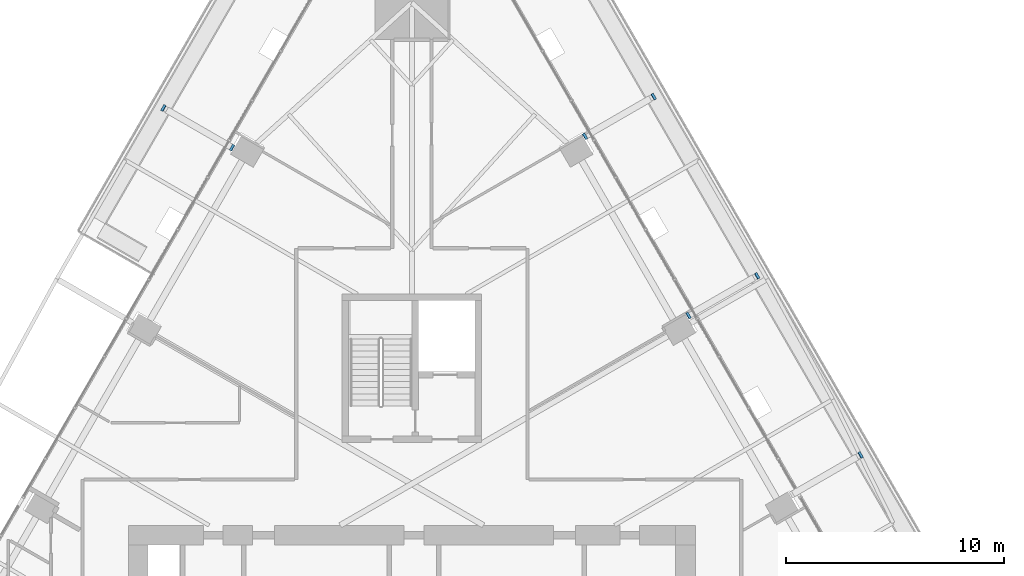
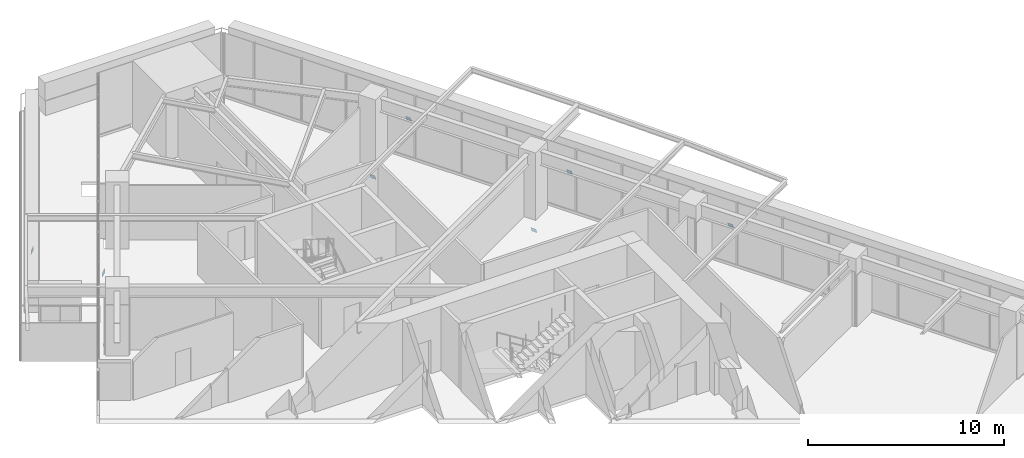
# One storey, part 26 of 29: 7 discrete accessories.
"""IFC4 building model written with IfcOpenShell, lengths in metres."""

from ifc_helpers import new_model, si_unit, direction, frame, origin, place, context, subcontext, project, spatial, polyline, outline, extrude, material, layer, layer_set, type_object, element, save


model = new_model("IFC4")

# Units and contexts
model_context = context("Model", 3, precision=1e-05, world=origin(), true_north=direction((0.0, 1.0)))
body_context = subcontext(model_context, "Body", "Model", "MODEL_VIEW")
ifc_project = project(units=[si_unit("LENGTHUNIT", "METRE"), si_unit("AREAUNIT", "SQUARE_METRE"), si_unit("VOLUMEUNIT", "CUBIC_METRE"), si_unit("PLANEANGLEUNIT", "RADIAN"), si_unit("MASSUNIT", "GRAM", prefix="KILO")], contexts=[model_context])

# Site, building, storey
site_placement = place(None, origin())
site = spatial("IfcSite", under=ifc_project, at=site_placement, CompositionType="ELEMENT")
building_placement = place(site_placement, origin())
building = spatial("IfcBuilding", under=site, at=building_placement, Name="Firuza Gate Tower and Library", CompositionType="ELEMENT")
storey_placement = place(building_placement, frame((0.0, 0.0, 82.0)))
storey = spatial("IfcBuildingStorey", under=building, at=storey_placement, Name="L18", CompositionType="ELEMENT", Elevation=82.0)

# Discrete accessories
ifc_material = material(Name="Steel S355", Category="steel")
ifc_layer = layer(ifc_material, 0.02001953125)
ifc_layer_set = layer_set([ifc_layer], Name="Strut seat plate 304x304x20 Steel S355")
discrete_accessory_type = type_object("IfcDiscreteAccessoryType", Name="Strut seat plate 304x304x20 Steel S355", PredefinedType="BRACKET", material=ifc_layer_set)
discrete_accessory_1_placement = place(storey_placement, frame((95.610595703125, 87.0703125, -0.12109375), z_axis=(0.806973625326, 0.46615166303, 0.362624040962), x_axis=(-0.500174479618, 0.865924641835, -6.7835374e-05)))
element("IfcDiscreteAccessory", 1, at=discrete_accessory_1_placement, inside=storey, type_object=discrete_accessory_type, Name="Strut seat plate L18 col:L17:E3", PredefinedType="BRACKET", context=body_context, shape_type="SweptSolid", body=[
    extrude(outline(polyline([(0.0, 0.0), (0.3041849095073422, -6.938893903907228e-18), (0.3040246340961719, -0.30386491064819526), (5.113197209020785e-05, -0.3039091783605066), (0.0, 0.0)])), origin(), (0.0, 0.0, -1.0), 0.02001953125),
])
discrete_accessory_2_placement = place(storey_placement, frame((87.56591796875, 93.7294921875, -1.53564453125), z_axis=(0.80682116952, 0.4662797668, 0.36279853843), x_axis=(0.500371262739, -0.865810949009, 0.0)))
element("IfcDiscreteAccessory", 2, at=discrete_accessory_2_placement, inside=storey, type_object=discrete_accessory_type, Name="Strut seat plate L18 col:L17:E4", PredefinedType="BRACKET", context=body_context, shape_type="SweptSolid", body=[
    extrude(outline(polyline([(0.0, 0.0), (0.3039735106735333, -1.3877787807814457e-17), (0.3039666476986559, 0.3039091879116516), (-6.862974877363939e-06, 0.3039091879116516), (0.0, 0.0)])), origin(), (0.0, 0.0, -1.0), 0.02001953125),
])
discrete_accessory_3_placement = place(storey_placement, frame((90.867919921875, 95.284912109375, -0.12109375), z_axis=(0.80682116952, 0.4662797668, 0.36279853843), x_axis=(-0.500371262739, 0.865810949009, 0.0)))
element("IfcDiscreteAccessory", 3, at=discrete_accessory_3_placement, inside=storey, type_object=discrete_accessory_type, Name="Strut seat plate L18 col:L17:E4", PredefinedType="BRACKET", context=body_context, shape_type="SweptSolid", body=[
    extrude(outline(polyline([(0.0, 0.0), (0.3039735106735333, -1.3877787807814457e-17), (0.30398037364841063, -0.3039091879116516), (6.862974877363939e-06, -0.3039091879116516), (0.0, 0.0)])), origin(), (0.0, 0.0, -1.0), 0.02001953125),
])
discrete_accessory_4_placement = place(storey_placement, frame((82.8232421875, 101.944091796875, -1.53564453125), z_axis=(0.806973625326, 0.46615166303, 0.362624040962), x_axis=(0.500220207533, -0.865898226911, -6.7882551e-05)))
element("IfcDiscreteAccessory", 4, at=discrete_accessory_4_placement, inside=storey, type_object=discrete_accessory_type, Name="Strut seat plate L18 col:L17:E5", PredefinedType="BRACKET", context=body_context, shape_type="SweptSolid", body=[
    extrude(outline(polyline([(0.0, 0.0), (0.30397350534743883, 1.3877787807814457e-17), (0.3041780326545568, 0.30386488408505474), (-6.873627186467326e-06, 0.3039091825841892), (0.0, 0.0)])), origin(), (0.0, 0.0, -1.0), 0.02001953125),
])
discrete_accessory_5_placement = place(storey_placement, frame((86.125244140625, 103.49951171875, -0.12109375), z_axis=(0.807237427615, 0.465929808707, 0.362321885644), x_axis=(-0.49987951649, 0.866094952373, -4.9680886e-05)))
element("IfcDiscreteAccessory", 5, at=discrete_accessory_5_placement, inside=storey, type_object=discrete_accessory_type, Name="Strut seat plate L18 col:L17:E5", PredefinedType="BRACKET", context=body_context, shape_type="SweptSolid", body=[
    extrude(outline(polyline([(0.0, 0.0), (0.3038514203893043, 0.0), (0.30405700574906375, -0.3038325185286471), (-0.00012790450080272993, -0.30386492846989666), (0.0, 0.0)])), origin(), (0.0, 0.0, -1.0), 0.02001953125),
])
discrete_accessory_6_placement = place(storey_placement, frame((66.724609375, 101.1611328125, -1.53564453125), z_axis=(-0.807237427615, 0.465929808707, 0.362321885644), x_axis=(0.499912951067, 0.866075654255, 4.9626419e-05)))
element("IfcDiscreteAccessory", 6, at=discrete_accessory_6_placement, inside=storey, type_object=discrete_accessory_type, Name="Strut seat plate L18 col:L17:W1", PredefinedType="BRACKET", context=body_context, shape_type="SweptSolid", body=[
    extrude(outline(polyline([(0.0, 0.0), (0.30418491197645486, 6.938893903907228e-18), (0.3040246316283602, 0.30386491311730407), (0.00017321296375140698, 0.30383253870852944), (0.0, 0.0)])), origin(), (0.0, 0.0, -1.0), 0.02001953125),
])
discrete_accessory_7_placement = place(storey_placement, frame((63.726806640625, 103.2431640625, -0.12109375), z_axis=(-0.806973625326, 0.46615166303, 0.362624040962), x_axis=(-0.500174479618, -0.865924641835, 6.7835374e-05)))
element("IfcDiscreteAccessory", 7, at=discrete_accessory_7_placement, inside=storey, type_object=discrete_accessory_type, Name="Strut seat plate L18 col:L17:W1", PredefinedType="BRACKET", context=body_context, shape_type="SweptSolid", body=[
    extrude(outline(polyline([(0.0, 0.0), (0.3041849095073422, 6.938893903907228e-18), (0.30413377753525195, -0.3039091783605066), (0.00016027541117030254, -0.3038649106481952), (0.0, 0.0)])), origin(), (0.0, 0.0, -1.0), 0.02001953125),
])

save(model, "model.ifc")
